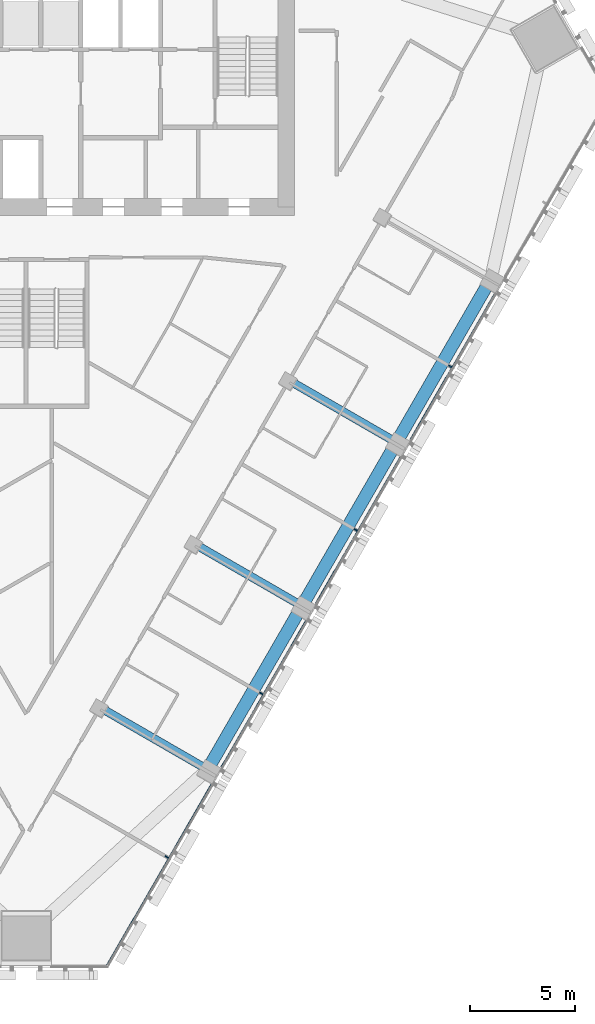
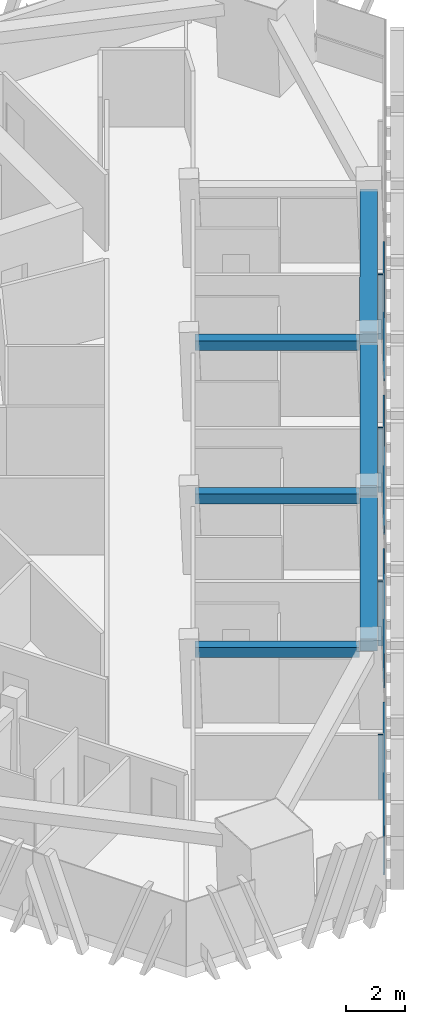
# One storey, part 4 of 16: 8 members, 6 beams, 1 element without a shape of its own.
"""IFC4 building model written with IfcOpenShell, lengths in metres."""

from ifc_helpers import new_model, si_unit, direction, frame, origin, origin_2d, place, context, subcontext, project, spatial, rectangle, extrude, material, layer, layer_set, material_profile, profile_set, type_object, element, aggregate, save


model = new_model("IFC4")

# Units and contexts
model_context = context("Model", 3, precision=1e-05, world=origin(), true_north=direction((0.0, 1.0)))
body_context = subcontext(model_context, "Body", "Model", "MODEL_VIEW")
ifc_project = project(units=[si_unit("LENGTHUNIT", "METRE"), si_unit("AREAUNIT", "SQUARE_METRE"), si_unit("VOLUMEUNIT", "CUBIC_METRE"), si_unit("PLANEANGLEUNIT", "RADIAN"), si_unit("MASSUNIT", "GRAM", prefix="KILO")], contexts=[model_context])

# Site, building, storey
site_placement = place(None, origin())
site = spatial("IfcSite", under=ifc_project, at=site_placement, CompositionType="ELEMENT")
building_placement = place(site_placement, origin())
building = spatial("IfcBuilding", under=site, at=building_placement, Name="Altiplano Prism Tower", CompositionType="ELEMENT")
storey_placement = place(building_placement, frame((0.0, 0.0, 131.39990234375)))
storey = spatial("IfcBuildingStorey", under=building, at=storey_placement, Name="L33", CompositionType="ELEMENT", Elevation=131.39990234375)

# Curtain wall, members
ifc_material_1 = material(Name="Aluminium and glass", Category="aluminium")
ifc_layer = layer(ifc_material_1, 0.280029296875)
ifc_layer_set = layer_set([ifc_layer], Name="Aluminium and glass")
curtain_wall_type = type_object("IfcCurtainWallType", Name="CW1 typical co-living unitised curtain wall", PredefinedType="NOTDEFINED", material=ifc_layer_set)
curtain_wall_placement = place(storey_placement, origin())
curtain_wall = element("IfcCurtainWall", 1, at=curtain_wall_placement, inside=storey, type_object=curtain_wall_type, Name="CW1 curtain wall south-east face L33", PredefinedType="NOTDEFINED")
ifc_material_2 = material(Name="Aluminium", Category="aluminium")
ifc_material_profile_1 = material_profile(ifc_material_2, rectangle(XDim=0.179931640625, YDim=0.06494140625, at=origin_2d()), Name="CW1 mullion 65 x 180")
ifc_profile_set_1 = profile_set([ifc_material_profile_1], Name="Aluminium")
member_type_1 = type_object("IfcMemberType", Name="CW1 mullion 65 x 180", PredefinedType="MULLION", material=ifc_profile_set_1)
member_1_placement = place(storey_placement, frame((91.702392578125, 62.0244140625, 0.0), z_axis=(0.0, 0.0, 1.0), x_axis=(-0.86602540251, 0.500000002207, 0.0)))
member_1 = element("IfcMember", 2, at=member_1_placement, type_object=member_type_1, Name="CW1 mullion", PredefinedType="MULLION", context=body_context, shape_type="SweptSolid", body=[
    extrude(rectangle(XDim=0.179931640625, YDim=0.06494140625, at=origin_2d()), origin(), (0.0, 0.0, 1.0), 2.650146484375),
])
member_2_placement = place(storey_placement, frame((96.202392578125, 69.818603515625, 0.0), z_axis=(0.0, 0.0, 1.0), x_axis=(-0.86602540251, 0.500000002207, 0.0)))
member_2 = element("IfcMember", 3, at=member_2_placement, type_object=member_type_1, Name="CW1 mullion", PredefinedType="MULLION", context=body_context, shape_type="SweptSolid", body=[
    extrude(rectangle(XDim=0.179931640625, YDim=0.06494140625, at=origin_2d()), origin(), (0.0, 0.0, 1.0), 2.650146484375),
])
member_3_placement = place(storey_placement, frame((100.702392578125, 77.61279296875, 0.0), z_axis=(0.0, 0.0, 1.0), x_axis=(-0.86602540251, 0.500000002207, 0.0)))
member_3 = element("IfcMember", 4, at=member_3_placement, type_object=member_type_1, Name="CW1 mullion", PredefinedType="MULLION", context=body_context, shape_type="SweptSolid", body=[
    extrude(rectangle(XDim=0.179931640625, YDim=0.06494140625, at=origin_2d()), origin(), (0.0, 0.0, 1.0), 2.650146484375),
])
member_4_placement = place(storey_placement, frame((105.202392578125, 85.406982421875, 0.0), z_axis=(0.0, 0.0, 1.0), x_axis=(-0.86602540251, 0.500000002207, 0.0)))
member_4 = element("IfcMember", 5, at=member_4_placement, type_object=member_type_1, Name="CW1 mullion", PredefinedType="MULLION", context=body_context, shape_type="SweptSolid", body=[
    extrude(rectangle(XDim=0.179931640625, YDim=0.06494140625, at=origin_2d()), origin(), (0.0, 0.0, 1.0), 2.650146484375),
])
ifc_material_profile_2 = material_profile(ifc_material_2, rectangle(XDim=0.06005859375, YDim=0.080078125, at=origin_2d()), Name="CW1 transom 80 x 60")
ifc_profile_set_2 = profile_set([ifc_material_profile_2], Name="Aluminium")
member_type_2 = type_object("IfcMemberType", Name="CW1 transom 80 x 60", PredefinedType="USERDEFINED", material=ifc_profile_set_2)
member_5_placement = place(storey_placement, frame((88.8232421875, 56.7978515625, 1.10009765625), z_axis=(0.500012221766, 0.86601834743, 0.0), x_axis=(-0.86601834743, 0.500012221766, 0.0)))
member_5 = element("IfcMember", 6, at=member_5_placement, type_object=member_type_2, Name="CW1 transom", ObjectType="TRANSOM", PredefinedType="USERDEFINED", context=body_context, shape_type="SweptSolid", body=[
    extrude(rectangle(XDim=0.06005859375, YDim=0.080078125, at=origin_2d()), origin(), (0.0, 0.0, 1.0), 10.040283203125),
])
member_6_placement = place(storey_placement, frame((94.308349609375, 66.29833984375, 1.10009765625), z_axis=(0.500017497958, 0.866015301098, 0.0), x_axis=(-0.866015301098, 0.500017497958, 0.0)))
member_6 = element("IfcMember", 7, at=member_6_placement, type_object=member_type_2, Name="CW1 transom", ObjectType="TRANSOM", PredefinedType="USERDEFINED", context=body_context, shape_type="SweptSolid", body=[
    extrude(rectangle(XDim=0.06005859375, YDim=0.080078125, at=origin_2d()), origin(), (0.0, 0.0, 1.0), 8.070068359375),
])
member_7_placement = place(storey_placement, frame((98.808349609375, 74.092529296875, 1.10009765625), z_axis=(0.500017497958, 0.866015301098, 0.0), x_axis=(-0.866015301098, 0.500017497958, 0.0)))
member_7 = element("IfcMember", 8, at=member_7_placement, type_object=member_type_2, Name="CW1 transom", ObjectType="TRANSOM", PredefinedType="USERDEFINED", context=body_context, shape_type="SweptSolid", body=[
    extrude(rectangle(XDim=0.06005859375, YDim=0.080078125, at=origin_2d()), origin(), (0.0, 0.0, 1.0), 8.070068359375),
])
member_8_placement = place(storey_placement, frame((103.308349609375, 81.886962890625, 1.10009765625), z_axis=(0.500030598376, 0.866007737083, 0.0), x_axis=(-0.866007737083, 0.500030598376, 0.0)))
member_8 = element("IfcMember", 9, at=member_8_placement, type_object=member_type_2, Name="CW1 transom", ObjectType="TRANSOM", PredefinedType="USERDEFINED", context=body_context, shape_type="SweptSolid", body=[
    extrude(rectangle(XDim=0.06005859375, YDim=0.080078125, at=origin_2d()), origin(), (0.0, 0.0, 1.0), 8.06982421875),
])
aggregate(curtain_wall, [member_1, member_5, member_2, member_6, member_3, member_7, member_4, member_8])

# Beams
ifc_material_3 = material(Name="Concrete C60/75", Category="concrete")
ifc_material_profile_3 = material_profile(ifc_material_3, rectangle(XDim=0.60009765625, YDim=0.5, at=origin_2d()), Name="Edge beam 600x500")
ifc_profile_set_3 = profile_set([ifc_material_profile_3], Name="Concrete C60/75")
beam_type_1 = type_object("IfcBeamType", Name="Edge beam 600x500", PredefinedType="SPANDREL", material=ifc_profile_set_3)
for number, where, z_axis, x_axis, name in (
    (10, (93.799560546875, 66.4541015625, 2.900146484375), (0.499997845736, 0.866026647546, 0.0), (-0.866026647546, 0.499997845736, 0.0), "Edge beam P21-P22 L34"),
    (11, (98.299560546875, 74.248291015625, 2.900146484375), (0.499997845736, 0.866026647546, 0.0), (-0.866026647546, 0.499997845736, 0.0), "Edge beam P22-P23 L34"),
):
    element("IfcBeam", number, at=place(storey_placement, frame(where, z_axis=z_axis, x_axis=x_axis)), inside=storey, type_object=beam_type_1, Name=name, PredefinedType="SPANDREL", context=body_context, shape_type="SweptSolid", body=[
        extrude(rectangle(XDim=0.60009765625, YDim=0.5, at=origin_2d()), origin(), (0.0, 0.0, 1.0), 8.39013671875),
    ])
beam_placement = place(storey_placement, frame((102.799560546875, 82.042724609375, 2.900146484375), z_axis=(0.500010445942, 0.866019372733, 0.0), x_axis=(-0.866019372733, 0.500010445942, 0.0)))
element("IfcBeam", 12, at=beam_placement, inside=storey, type_object=beam_type_1, Name="Edge beam P23-P24 L34", PredefinedType="SPANDREL", context=body_context, shape_type="SweptSolid", body=[
    extrude(rectangle(XDim=0.60009765625, YDim=0.5, at=origin_2d()), origin(), (0.0, 0.0, 1.0), 8.389892578125),
])
ifc_material_profile_4 = material_profile(ifc_material_3, rectangle(XDim=0.39990234375, YDim=0.39990234375, at=origin_2d()), Name="Tie beam 400x400")
ifc_profile_set_4 = profile_set([ifc_material_profile_4], Name="Concrete C60/75")
beam_type_2 = type_object("IfcBeamType", Name="Tie beam 400x400", PredefinedType="BEAM", material=ifc_profile_set_4)
for number, where, z_axis, x_axis, name in (
    (13, (88.585205078125, 69.112548828125, 2.9501953125), (0.866027073272, -0.499997108352, 0.0), (0.499997108352, 0.866027073272, 0.0), "Tie beam I21 L34"),
    (14, (93.085205078125, 76.90673828125, 2.9501953125), (0.866027073272, -0.499997108352, 0.0), (0.499997108352, 0.866027073272, 0.0), "Tie beam I22 L34"),
    (15, (97.585205078125, 84.700927734375, 2.9501953125), (0.866027073272, -0.499997108352, 0.0), (0.499997108352, 0.866027073272, 0.0), "Tie beam I23 L34"),
):
    element("IfcBeam", number, at=place(storey_placement, frame(where, z_axis=z_axis, x_axis=x_axis)), inside=storey, type_object=beam_type_2, Name=name, PredefinedType="BEAM", context=body_context, shape_type="SweptSolid", body=[
        extrude(rectangle(XDim=0.39990234375, YDim=0.39990234375, at=origin_2d()), origin(), (0.0, 0.0, 1.0), 5.5400390625),
    ])

save(model, "model.ifc")
